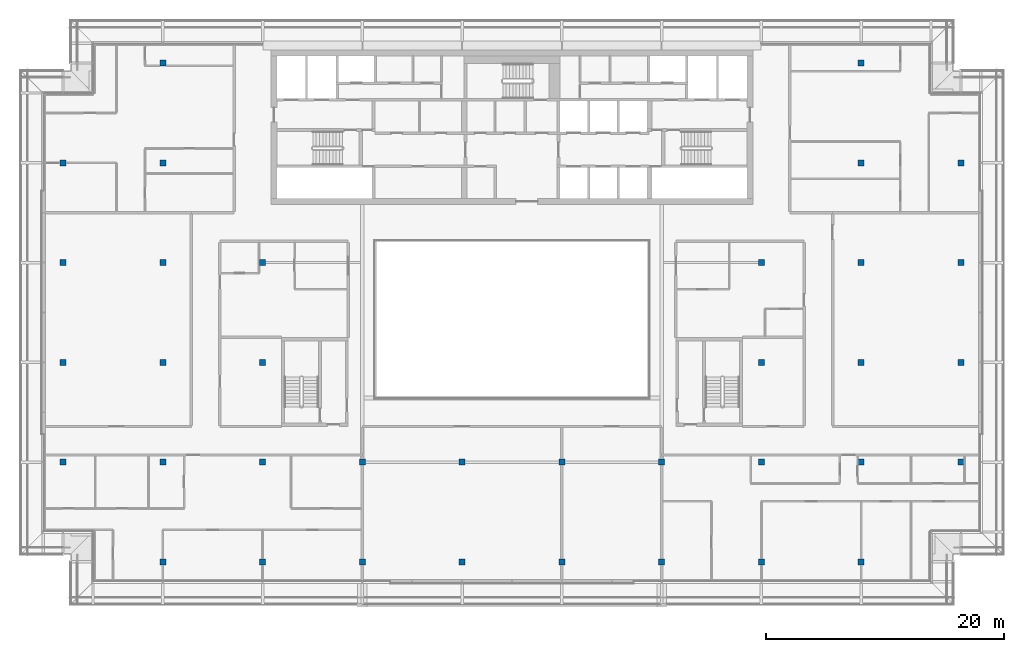
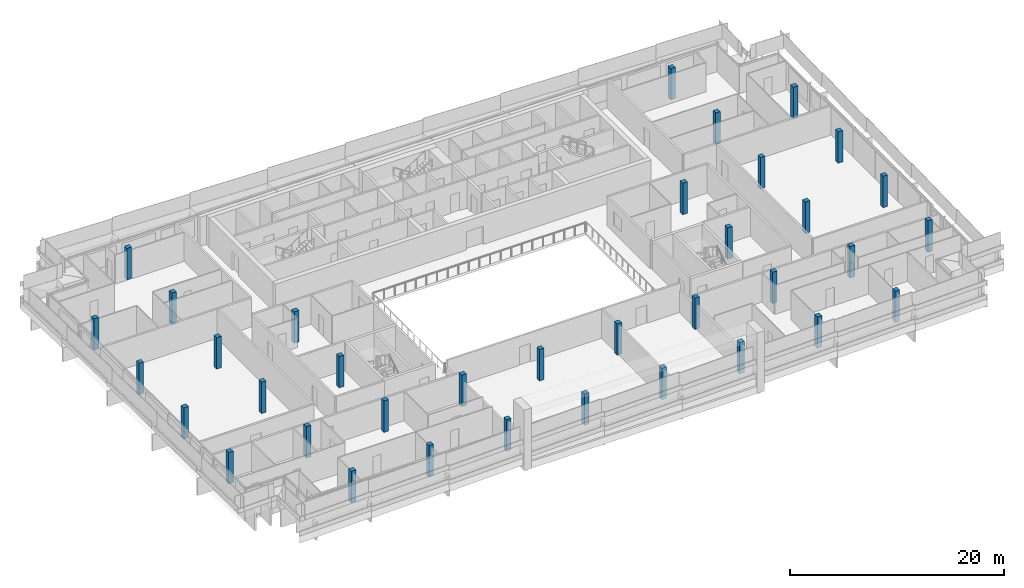
# One storey, part 1 of 33: 36 columns.
"""IFC4 building model written with IfcOpenShell, lengths in metres."""

from ifc_helpers import new_model, si_unit, direction, frame, origin, origin_2d, place, context, subcontext, project, spatial, rectangle, extrude, material, material_profile, profile_set, type_object, element, save


model = new_model("IFC4")

# Units and contexts
model_context = context("Model", 3, precision=1e-05, world=origin(), true_north=direction((0.0, 1.0)))
body_context = subcontext(model_context, "Body", "Model", "MODEL_VIEW")
ifc_project = project(units=[si_unit("LENGTHUNIT", "METRE"), si_unit("AREAUNIT", "SQUARE_METRE"), si_unit("VOLUMEUNIT", "CUBIC_METRE"), si_unit("PLANEANGLEUNIT", "RADIAN"), si_unit("MASSUNIT", "GRAM", prefix="KILO")], contexts=[model_context])

# Site, building, storey
site_placement = place(None, origin())
site = spatial("IfcSite", under=ifc_project, at=site_placement, CompositionType="ELEMENT")
building_placement = place(site_placement, origin())
building = spatial("IfcBuilding", under=site, at=building_placement, Name="Saffron Gate Tower", CompositionType="ELEMENT")
storey_placement = place(building_placement, frame((0.0, 0.0, 263.550048828125)))
storey = spatial("IfcBuildingStorey", under=building, at=storey_placement, Name="L63", CompositionType="ELEMENT", Elevation=263.550048828125)

# Columns
ifc_material = material(Name="Concrete C40", Category="concrete")
ifc_material_profile = material_profile(ifc_material, rectangle(XDim=0.5, YDim=0.5, at=origin_2d()))
ifc_profile_set = profile_set([ifc_material_profile], Name="Concrete C40")
column_type = type_object("IfcColumnType", Name="C1 RC 500x500 CONCRETE C40", PredefinedType="COLUMN", material=ifc_profile_set)
for number, where, z_axis, x_axis, name in (
    (1, (49.800048828125, 40.199951171875, 0.0), (0.0, 0.0, 1.0), (1.0, 0.0, 0.0), "C1 COLUMN X1-B"),
    (2, (49.800048828125, 48.60009765625, 0.0), (0.0, 0.0, 1.0), (1.0, 0.0, 0.0), "C1 COLUMN X1-C"),
    (3, (49.800048828125, 57.0, 0.0), (0.0, 0.0, 1.0), (1.0, 0.0, 0.0), "C1 COLUMN X1-D"),
    (4, (49.800048828125, 65.39990234375, 0.0), (0.0, 0.0, 1.0), (1.0, 0.0, 0.0), "C1 COLUMN X1-E"),
    (5, (58.199951171875, 31.800048828125, 0.0), (0.0, 0.0, 1.0), (1.0, 0.0, 0.0), "C1 COLUMN X2-A"),
    (6, (58.199951171875, 40.199951171875, 0.0), (0.0, 0.0, 1.0), (1.0, 0.0, 0.0), "C1 COLUMN X2-B"),
    (7, (58.199951171875, 48.60009765625, 0.0), (0.0, 0.0, 1.0), (1.0, 0.0, 0.0), "C1 COLUMN X2-C"),
    (8, (58.199951171875, 57.0, 0.0), (0.0, 0.0, 1.0), (1.0, 0.0, 0.0), "C1 COLUMN X2-D"),
    (9, (58.199951171875, 65.39990234375, 0.0), (0.0, 0.0, 1.0), (1.0, 0.0, 0.0), "C1 COLUMN X2-E"),
    (10, (58.199951171875, 73.800048828125, 0.0), (0.0, 0.0, 1.0), (1.0, 0.0, 0.0), "C1 COLUMN X2-F"),
    (11, (66.60009765625, 31.800048828125, 0.0), (0.0, 0.0, 1.0), (1.0, 0.0, 0.0), "C1 COLUMN X3-A"),
    (12, (66.60009765625, 40.199951171875, 0.0), (0.0, 0.0, 1.0), (1.0, 0.0, 0.0), "C1 COLUMN X3-B"),
    (13, (66.60009765625, 48.60009765625, 0.0), (0.0, 0.0, 1.0), (1.0, 0.0, 0.0), "C1 COLUMN X3-C"),
    (14, (66.60009765625, 57.0, 0.0), (0.0, 0.0, 1.0), (1.0, 0.0, 0.0), "C1 COLUMN X3-D"),
    (15, (75.0, 31.800048828125, 0.0), (0.0, 0.0, 1.0), (1.0, 0.0, 0.0), "C1 COLUMN X4-A"),
    (16, (75.0, 40.199951171875, 0.0), (0.0, 0.0, 1.0), (1.0, 0.0, 0.0), "C1 COLUMN X4-B"),
    (17, (83.39990234375, 31.800048828125, 0.0), (0.0, 0.0, 1.0), (1.0, 0.0, 0.0), "C1 COLUMN X5-A"),
    (18, (83.39990234375, 40.199951171875, 0.0), (0.0, 0.0, 1.0), (1.0, 0.0, 0.0), "C1 COLUMN X5-B"),
    (19, (91.800048828125, 31.800048828125, 0.0), (0.0, 0.0, 1.0), (1.0, 0.0, 0.0), "C1 COLUMN X6-A"),
    (20, (91.800048828125, 40.199951171875, 0.0), (0.0, 0.0, 1.0), (1.0, 0.0, 0.0), "C1 COLUMN X6-B"),
    (21, (100.199951171875, 31.800048828125, 0.0), (0.0, 0.0, 1.0), (1.0, 0.0, 0.0), "C1 COLUMN X7-A"),
    (22, (100.199951171875, 40.199951171875, 0.0), (0.0, 0.0, 1.0), (1.0, 0.0, 0.0), "C1 COLUMN X7-B"),
    (23, (108.60009765625, 31.800048828125, 0.0), (0.0, 0.0, 1.0), (1.0, 0.0, 0.0), "C1 COLUMN X8-A"),
    (24, (108.60009765625, 40.199951171875, 0.0), (0.0, 0.0, 1.0), (1.0, 0.0, 0.0), "C1 COLUMN X8-B"),
    (25, (108.60009765625, 48.60009765625, 0.0), (0.0, 0.0, 1.0), (1.0, 0.0, 0.0), "C1 COLUMN X8-C"),
    (26, (108.60009765625, 57.0, 0.0), (0.0, 0.0, 1.0), (1.0, 0.0, 0.0), "C1 COLUMN X8-D"),
    (27, (117.0, 31.800048828125, 0.0), (0.0, 0.0, 1.0), (1.0, 0.0, 0.0), "C1 COLUMN X9-A"),
    (28, (117.0, 40.199951171875, 0.0), (0.0, 0.0, 1.0), (1.0, 0.0, 0.0), "C1 COLUMN X9-B"),
    (29, (117.0, 48.60009765625, 0.0), (0.0, 0.0, 1.0), (1.0, 0.0, 0.0), "C1 COLUMN X9-C"),
    (30, (117.0, 57.0, 0.0), (0.0, 0.0, 1.0), (1.0, 0.0, 0.0), "C1 COLUMN X9-D"),
    (31, (117.0, 65.39990234375, 0.0), (0.0, 0.0, 1.0), (1.0, 0.0, 0.0), "C1 COLUMN X9-E"),
    (32, (117.0, 73.800048828125, 0.0), (0.0, 0.0, 1.0), (1.0, 0.0, 0.0), "C1 COLUMN X9-F"),
    (33, (125.39990234375, 40.199951171875, 0.0), (0.0, 0.0, 1.0), (1.0, 0.0, 0.0), "C1 COLUMN X10-B"),
    (34, (125.39990234375, 48.60009765625, 0.0), (0.0, 0.0, 1.0), (1.0, 0.0, 0.0), "C1 COLUMN X10-C"),
    (35, (125.39990234375, 57.0, 0.0), (0.0, 0.0, 1.0), (1.0, 0.0, 0.0), "C1 COLUMN X10-D"),
    (36, (125.39990234375, 65.39990234375, 0.0), (0.0, 0.0, 1.0), (1.0, 0.0, 0.0), "C1 COLUMN X10-E"),
):
    element("IfcColumn", number, at=place(storey_placement, frame(where, z_axis=z_axis, x_axis=x_axis)), inside=storey, type_object=column_type, Name=name, PredefinedType="COLUMN", context=body_context, shape_type="SweptSolid", body=[
        extrude(rectangle(XDim=0.5, YDim=0.5, at=origin_2d()), origin(), (0.0, 0.0, 1.0), 3.599853515625),
    ])

save(model, "model.ifc")
